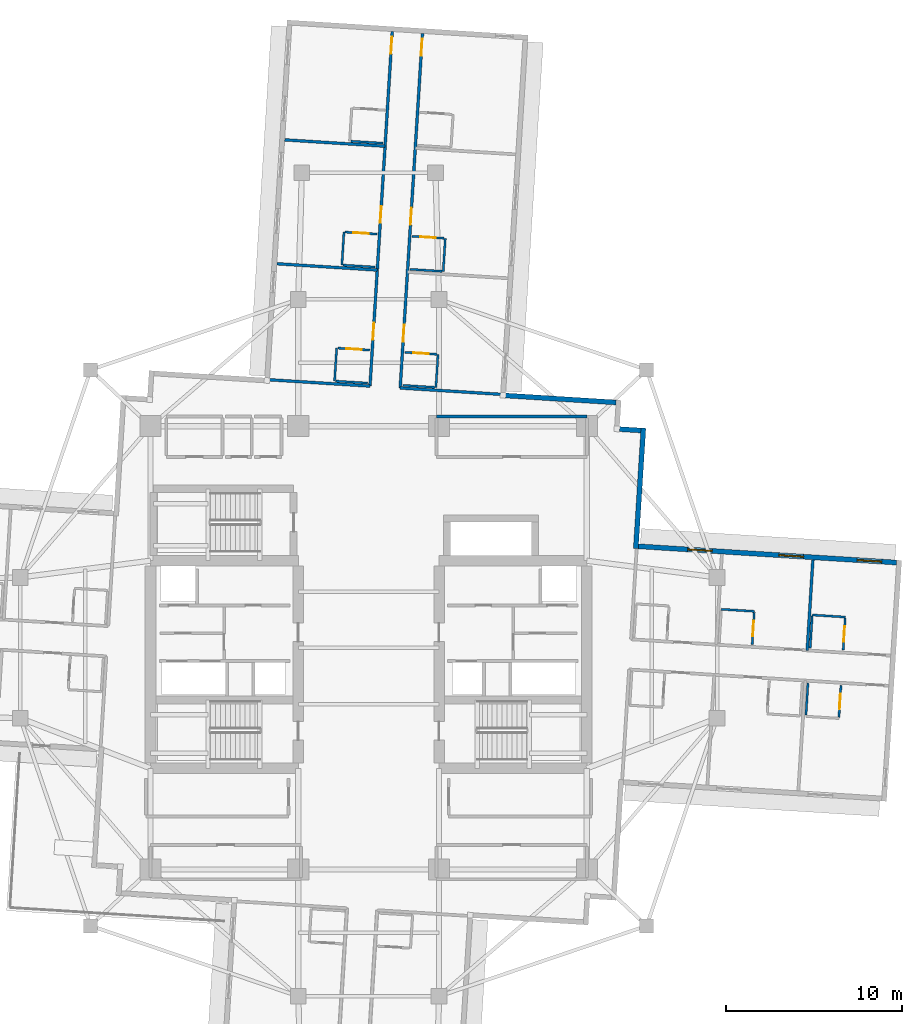
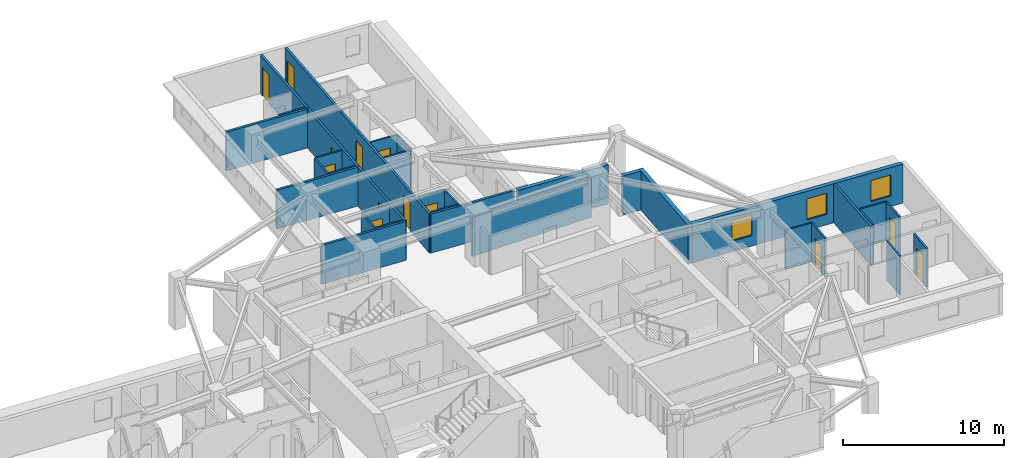
# One storey, part 8 of 14: 32 walls, 13 doors, 3 windows, 16 openings.
"""IFC4 building model written with IfcOpenShell, lengths in metres."""

from ifc_helpers import new_model, si_unit, direction, frame, frame_2d, origin, place, context, subcontext, project, spatial, rectangle, extrude, material, layer, layer_set, type_object, element, fill, save


model = new_model("IFC4")

# Units and contexts
model_context = context("Model", 3, precision=1e-05, world=origin(), true_north=direction((0.0, 1.0)))
body_context = subcontext(model_context, "Body", "Model", "MODEL_VIEW")
ifc_project = project(units=[si_unit("LENGTHUNIT", "METRE"), si_unit("AREAUNIT", "SQUARE_METRE"), si_unit("VOLUMEUNIT", "CUBIC_METRE"), si_unit("PLANEANGLEUNIT", "RADIAN"), si_unit("MASSUNIT", "GRAM", prefix="KILO")], contexts=[model_context])

# Site, building, storey
site_placement = place(None, origin())
site = spatial("IfcSite", under=ifc_project, at=site_placement, CompositionType="ELEMENT")
building_placement = place(site_placement, origin())
building = spatial("IfcBuilding", under=site, at=building_placement, Name="Qingluan Cross Belvedere", CompositionType="ELEMENT")
storey_placement = place(building_placement, frame((0.0, 0.0, 160.5)))
storey = spatial("IfcBuildingStorey", under=building, at=storey_placement, Name="L40", CompositionType="ELEMENT", Elevation=160.5)

# Walls
ifc_material_1 = material(Name="Gypsum plasterboard on steel stud acoustic partition", Category="steel")
ifc_layer_1 = layer(ifc_material_1, 0.159912109375, Name="CorridorPartition_160")
ifc_layer_set_1 = layer_set([ifc_layer_1], Name="Gypsum plasterboard on steel stud acoustic partition")
wall_type_1 = type_object("IfcWallType", Name="CorridorPartition_160", PredefinedType="PARTITIONING", material=ifc_layer_set_1)
wall_1_placement = place(storey_placement, frame((3.85009765625, 13.14990234375, 0.0), z_axis=(0.0, 0.0, 1.0), x_axis=(1.0, 0.0, 0.0)))
element("IfcWall", 1, at=wall_1_placement, inside=storey, type_object=wall_type_1, Name="Partition L40:q_ne:N", PredefinedType="PARTITIONING", context=body_context, shape_type="SweptSolid", body=[
    extrude(rectangle(XDim=8.5498046875, YDim=0.159912109375, at=frame_2d((4.27490234375, 0.0))), origin(), (0.0, 0.0, 1.0), 2.9599609375),
])
wall_2_placement = place(storey_placement, frame((24.923095703125, -0.145263671875, 0.0), z_axis=(0.0, 0.0, 1.0), x_axis=(0.06278835741, 0.998026864455, 0.0)))
element("IfcWall", 2, at=wall_2_placement, inside=storey, type_object=wall_type_1, Name="Partition L40:E:d0_1", PredefinedType="PARTITIONING", context=body_context, shape_type="SweptSolid", body=[
    extrude(rectangle(XDim=5.152099609375, YDim=0.159912109375, at=frame_2d((2.576171875, 0.0))), origin(), (0.0, 0.0, 1.0), 2.9599609375),
])

# Wall, openings, doors
wall_3_placement = place(storey_placement, frame((1.790771484375, 14.7666015625, 0.0), z_axis=(0.0, 0.0, 1.0), x_axis=(0.062795509413, 0.998026414479, 0.0)))
wall_3 = element("IfcWall", 3, at=wall_3_placement, inside=storey, type_object=wall_type_1, Name="Partition L40:N:c0", PredefinedType="PARTITIONING", context=body_context, shape_type="SweptSolid", body=[
    extrude(rectangle(XDim=20.181884765625, YDim=0.159912109375, at=frame_2d((10.0908203125, 0.0))), origin(), (0.0, 0.0, 1.0), 2.9599609375),
])
opening_1_placement = place(wall_3_placement, frame((2.64111328125, 0.0, 0.0)))
opening_1 = element("IfcOpeningElement", 4, at=opening_1_placement, cuts=wall_3, Name="Opening GD-10", PredefinedType="OPENING", context=body_context, shape_type="SweptSolid", body=[
    extrude(rectangle(XDim=0.9599609375, YDim=2.14990234375, at=frame_2d((0.47998046875, 1.074951171875))), frame((0.0, 0.08984375, 0.0), z_axis=(0.0, -1.0, 0.0), x_axis=(1.0, 0.0, 0.0)), (0.0, 0.0, 1.0), 0.179931640625),
])
opening_2_placement = place(wall_3_placement, frame((9.29296875, 0.0, 0.0)))
opening_2 = element("IfcOpeningElement", 5, at=opening_2_placement, cuts=wall_3, Name="Opening GD-10", PredefinedType="OPENING", context=body_context, shape_type="SweptSolid", body=[
    extrude(rectangle(XDim=0.9599609375, YDim=2.14990234375, at=frame_2d((0.47998046875, 1.074951171875))), frame((0.0, 0.08984375, 0.0), z_axis=(0.0, -1.0, 0.0), x_axis=(1.0, 0.0, 0.0)), (0.0, 0.0, 1.0), 0.179931640625),
])
opening_3_placement = place(wall_3_placement, frame((18.929931640625, 0.0, 0.0)))
opening_3 = element("IfcOpeningElement", 6, at=opening_3_placement, cuts=wall_3, Name="Opening GD-10", PredefinedType="OPENING", context=body_context, shape_type="SweptSolid", body=[
    extrude(rectangle(XDim=0.9599609375, YDim=2.14990234375, at=frame_2d((0.47998046875, 1.074951171875))), frame((0.0, 0.08984375, 0.0), z_axis=(0.0, -1.0, 0.0), x_axis=(1.0, 0.0, 0.0)), (0.0, 0.0, 1.0), 0.179931640625),
])
ifc_material_2 = material(Name="Timber oak fire-rated acoustic guestroom door", Category="wood")
door_type_1 = type_object("IfcDoorType", Name="GuestEntryDoor_FD60", OperationType="NOTDEFINED", PredefinedType="DOOR", material=ifc_material_2)
door_1_placement = place(opening_1_placement, origin())
door_1 = element("IfcDoor", 7, at=door_1_placement, inside=storey, type_object=door_type_1, Name="Guest entry fire door 4011", OperationType="SINGLE_SWING_RIGHT", OverallHeight=2.14990234375, OverallWidth=0.9599609375, PredefinedType="DOOR", context=body_context, shape_type="SweptSolid", body=[
    extrude(rectangle(XDim=0.9599609375, YDim=2.14990234375, at=frame_2d((0.47998046875, 1.074951171875))), frame((0.0, 0.02490234375, 0.0), z_axis=(0.0, -1.0, 0.0), x_axis=(1.0, 0.0, 0.0)), (0.0, 0.0, 1.0), 0.050048828125),
])
fill(opening_1, door_1)
door_2_placement = place(opening_2_placement, origin())
door_2 = element("IfcDoor", 8, at=door_2_placement, inside=storey, type_object=door_type_1, Name="Guest entry fire door 4012", OperationType="SINGLE_SWING_RIGHT", OverallHeight=2.14990234375, OverallWidth=0.9599609375, PredefinedType="DOOR", context=body_context, shape_type="SweptSolid", body=[
    extrude(rectangle(XDim=0.9599609375, YDim=2.14990234375, at=frame_2d((0.47998046875, 1.074951171875))), frame((0.0, 0.02490234375, 0.0), z_axis=(0.0, -1.0, 0.0), x_axis=(1.0, 0.0, 0.0)), (0.0, 0.0, 1.0), 0.050048828125),
])
fill(opening_2, door_2)
door_3_placement = place(opening_3_placement, origin())
door_3 = element("IfcDoor", 9, at=door_3_placement, inside=storey, type_object=door_type_1, Name="Guest entry fire door 4013", OperationType="SINGLE_SWING_RIGHT", OverallHeight=2.14990234375, OverallWidth=0.9599609375, PredefinedType="DOOR", context=body_context, shape_type="SweptSolid", body=[
    extrude(rectangle(XDim=0.9599609375, YDim=2.14990234375, at=frame_2d((0.47998046875, 1.074951171875))), frame((0.0, 0.02490234375, 0.0), z_axis=(0.0, -1.0, 0.0), x_axis=(1.0, 0.0, 0.0)), (0.0, 0.0, 1.0), 0.050048828125),
])
fill(opening_3, door_3)

# Wall
wall_4_placement = place(storey_placement, frame((1.790771484375, 14.7666015625, 0.0), z_axis=(0.0, 0.0, 1.0), x_axis=(0.998027043948, -0.062785504288, 0.0)))
element("IfcWall", 10, at=wall_4_placement, inside=storey, type_object=wall_type_1, Name="Partition L40:N:s0", PredefinedType="PARTITIONING", context=body_context, shape_type="SweptSolid", body=[
    extrude(rectangle(XDim=5.85986328125, YDim=0.159912109375, at=frame_2d((2.929931640625, 0.0))), origin(), (0.0, 0.0, 1.0), 2.9599609375),
])

# Wall, openings, doors
wall_5_placement = place(storey_placement, frame((0.07421875, 14.874755859375, 0.0), z_axis=(0.0, 0.0, 1.0), x_axis=(0.062783460104, 0.998027172545, 0.0)))
wall_5 = element("IfcWall", 11, at=wall_5_placement, inside=storey, type_object=wall_type_1, Name="Partition L40:N:c1", PredefinedType="PARTITIONING", context=body_context, shape_type="SweptSolid", body=[
    extrude(rectangle(XDim=20.181884765625, YDim=0.159912109375, at=frame_2d((10.0908203125, 0.0))), origin(), (0.0, 0.0, 1.0), 2.9599609375),
])
opening_4_placement = place(wall_5_placement, frame((2.64111328125, 0.0, 0.0)))
opening_4 = element("IfcOpeningElement", 12, at=opening_4_placement, cuts=wall_5, Name="Opening GD-10", PredefinedType="OPENING", context=body_context, shape_type="SweptSolid", body=[
    extrude(rectangle(XDim=0.9599609375, YDim=2.14990234375, at=frame_2d((0.47998046875, 1.074951171875))), frame((0.0, 0.08984375, 0.0), z_axis=(0.0, -1.0, 0.0), x_axis=(1.0, 0.0, 0.0)), (0.0, 0.0, 1.0), 0.179931640625),
])
opening_5_placement = place(wall_5_placement, frame((9.29296875, 0.0, 0.0)))
opening_5 = element("IfcOpeningElement", 13, at=opening_5_placement, cuts=wall_5, Name="Opening GD-10", PredefinedType="OPENING", context=body_context, shape_type="SweptSolid", body=[
    extrude(rectangle(XDim=0.9599609375, YDim=2.14990234375, at=frame_2d((0.47998046875, 1.074951171875))), frame((0.0, 0.08984375, 0.0), z_axis=(0.0, -1.0, 0.0), x_axis=(1.0, 0.0, 0.0)), (0.0, 0.0, 1.0), 0.179931640625),
])
opening_6_placement = place(wall_5_placement, frame((18.929931640625, 0.0, 0.0)))
opening_6 = element("IfcOpeningElement", 14, at=opening_6_placement, cuts=wall_5, Name="Opening GD-10", PredefinedType="OPENING", context=body_context, shape_type="SweptSolid", body=[
    extrude(rectangle(XDim=0.9599609375, YDim=2.14990234375, at=frame_2d((0.47998046875, 1.074951171875))), frame((0.0, 0.08984375, 0.0), z_axis=(0.0, -1.0, 0.0), x_axis=(1.0, 0.0, 0.0)), (0.0, 0.0, 1.0), 0.179931640625),
])
door_4_placement = place(opening_4_placement, origin())
door_4 = element("IfcDoor", 15, at=door_4_placement, inside=storey, type_object=door_type_1, Name="Guest entry fire door 4014", OperationType="SINGLE_SWING_RIGHT", OverallHeight=2.14990234375, OverallWidth=0.9599609375, PredefinedType="DOOR", context=body_context, shape_type="SweptSolid", body=[
    extrude(rectangle(XDim=0.9599609375, YDim=2.14990234375, at=frame_2d((0.47998046875, 1.074951171875))), frame((0.0, 0.02490234375, 0.0), z_axis=(0.0, -1.0, 0.0), x_axis=(1.0, 0.0, 0.0)), (0.0, 0.0, 1.0), 0.050048828125),
])
fill(opening_4, door_4)
door_5_placement = place(opening_5_placement, origin())
door_5 = element("IfcDoor", 16, at=door_5_placement, inside=storey, type_object=door_type_1, Name="Guest entry fire door 4015", OperationType="SINGLE_SWING_RIGHT", OverallHeight=2.14990234375, OverallWidth=0.9599609375, PredefinedType="DOOR", context=body_context, shape_type="SweptSolid", body=[
    extrude(rectangle(XDim=0.9599609375, YDim=2.14990234375, at=frame_2d((0.47998046875, 1.074951171875))), frame((0.0, 0.02490234375, 0.0), z_axis=(0.0, -1.0, 0.0), x_axis=(1.0, 0.0, 0.0)), (0.0, 0.0, 1.0), 0.050048828125),
])
fill(opening_5, door_5)
door_6_placement = place(opening_6_placement, origin())
door_6 = element("IfcDoor", 17, at=door_6_placement, inside=storey, type_object=door_type_1, Name="Guest entry fire door 4016", OperationType="SINGLE_SWING_RIGHT", OverallHeight=2.14990234375, OverallWidth=0.9599609375, PredefinedType="DOOR", context=body_context, shape_type="SweptSolid", body=[
    extrude(rectangle(XDim=0.9599609375, YDim=2.14990234375, at=frame_2d((0.47998046875, 1.074951171875))), frame((0.0, 0.02490234375, 0.0), z_axis=(0.0, -1.0, 0.0), x_axis=(1.0, 0.0, 0.0)), (0.0, 0.0, 1.0), 0.050048828125),
])
fill(opening_6, door_6)

# Walls
wall_6_placement = place(storey_placement, frame((0.07421875, 14.874755859375, 0.0), z_axis=(0.0, 0.0, 1.0), x_axis=(-0.998027208172, 0.062782893752, 0.0)))
element("IfcWall", 18, at=wall_6_placement, inside=storey, type_object=wall_type_1, Name="Partition L40:N:s1", PredefinedType="PARTITIONING", context=body_context, shape_type="SweptSolid", body=[
    extrude(rectangle(XDim=5.860107421875, YDim=0.159912109375, at=frame_2d((2.93017578125, 0.0))), origin(), (0.0, 0.0, 1.0), 2.9599609375),
])
for number, where, z_axis, x_axis, name in (
    (19, (0.489013671875, 21.46875, 0.0), (0.0, 0.0, 1.0), (-0.998026882386, 0.062788072387, 0.0), "Partition L40:N:d1_0"),
    (20, (0.931884765625, 28.509765625, 0.0), (0.0, 0.0, 1.0), (-0.998026882386, 0.062788072387, 0.0), "Partition L40:N:d1_1"),
):
    element("IfcWall", number, at=place(storey_placement, frame(where, z_axis=z_axis, x_axis=x_axis)), inside=storey, type_object=wall_type_1, Name=name, PredefinedType="PARTITIONING", context=body_context, shape_type="SweptSolid", body=[
        extrude(rectangle(XDim=5.7119140625, YDim=0.159912109375, at=frame_2d((2.85595703125, 0.0))), origin(), (0.0, 0.0, 1.0), 2.9599609375),
    ])

# Wall, opening, door
ifc_material_3 = material(Name="Moisture-resistant gypsum board lining")
ifc_layer_2 = layer(ifc_material_3, 0.1201171875, Name="EnsuiteWetPartition_120")
ifc_layer_set_2 = layer_set([ifc_layer_2], Name="Moisture-resistant gypsum board lining")
wall_type_2 = type_object("IfcWallType", Name="EnsuiteWetPartition_120", PredefinedType="PARTITIONING", material=ifc_layer_set_2)
wall_7_placement = place(storey_placement, frame((21.797119140625, 0.191650390625, 0.0), z_axis=(0.0, 0.0, 1.0), x_axis=(0.062779145668, 0.998027443946, 0.0)))
wall_7 = element("IfcWall", 21, at=wall_7_placement, inside=storey, type_object=wall_type_2, Name="Partition L40:E:bs0_1", PredefinedType="PARTITIONING", context=body_context, shape_type="SweptSolid", body=[
    extrude(rectangle(XDim=1.820068359375, YDim=0.1201171875, at=frame_2d((0.91015625, 0.0))), origin(), (0.0, 0.0, 1.0), 2.9599609375),
])
opening_7_placement = place(wall_7_placement, frame((0.469970703125, 0.0, 0.0)))
opening_7 = element("IfcOpeningElement", 22, at=opening_7_placement, cuts=wall_7, Name="Opening BD-09", PredefinedType="OPENING", context=body_context, shape_type="SweptSolid", body=[
    extrude(rectangle(XDim=0.8798828125, YDim=2.10009765625, at=frame_2d((0.43994140625, 1.050048828125))), frame((0.0, 0.070068359375, 0.0), z_axis=(0.0, -1.0, 0.0), x_axis=(1.0, 0.0, 0.0)), (0.0, 0.0, 1.0), 0.14013671875),
])
ifc_material_4 = material(Name="Moisture-sealed timber en-suite door", Category="wood")
door_type_2 = type_object("IfcDoorType", Name="BathroomDoor_880", OperationType="NOTDEFINED", PredefinedType="DOOR", material=ifc_material_4)
door_7_placement = place(opening_7_placement, origin())
door_7 = element("IfcDoor", 23, at=door_7_placement, inside=storey, type_object=door_type_2, Name="Bathroom door 4002", OperationType="SINGLE_SWING_LEFT", OverallHeight=2.10009765625, OverallWidth=0.8798828125, PredefinedType="DOOR", context=body_context, shape_type="SweptSolid", body=[
    extrude(rectangle(XDim=0.8798828125, YDim=2.10009765625, at=frame_2d((0.43994140625, 1.050048828125))), frame((0.0, 0.02490234375, 0.0), z_axis=(0.0, -1.0, 0.0), x_axis=(1.0, 0.0, 0.0)), (0.0, 0.0, 1.0), 0.050048828125),
])
fill(opening_7, door_7)

# Wall
wall_8_placement = place(storey_placement, frame((20.0390625, 2.191162109375, 0.0), z_axis=(0.0, 0.0, 1.0), x_axis=(0.998022650819, -0.062855297722, 0.0)))
element("IfcWall", 24, at=wall_8_placement, inside=storey, type_object=wall_type_2, Name="Partition L40:E:bn0_1", PredefinedType="PARTITIONING", context=body_context, shape_type="SweptSolid", body=[
    extrude(rectangle(XDim=1.8798828125, YDim=0.1201171875, at=frame_2d((0.93994140625, 0.0))), origin(), (0.0, 0.0, 1.0), 2.9599609375),
])

# Wall, opening, door
wall_9_placement = place(storey_placement, frame((26.9677734375, -0.133544921875, 0.0), z_axis=(0.0, 0.0, 1.0), x_axis=(0.062779145668, 0.998027443946, 0.0)))
wall_9 = element("IfcWall", 25, at=wall_9_placement, inside=storey, type_object=wall_type_2, Name="Partition L40:E:bs0_2", PredefinedType="PARTITIONING", context=body_context, shape_type="SweptSolid", body=[
    extrude(rectangle(XDim=1.820068359375, YDim=0.1201171875, at=frame_2d((0.91015625, 0.0))), origin(), (0.0, 0.0, 1.0), 2.9599609375),
])
opening_8_placement = place(wall_9_placement, frame((0.469970703125, 0.0, 0.0)))
opening_8 = element("IfcOpeningElement", 26, at=opening_8_placement, cuts=wall_9, Name="Opening BD-09", PredefinedType="OPENING", context=body_context, shape_type="SweptSolid", body=[
    extrude(rectangle(XDim=0.8798828125, YDim=2.10009765625, at=frame_2d((0.43994140625, 1.050048828125))), frame((0.0, 0.070068359375, 0.0), z_axis=(0.0, -1.0, 0.0), x_axis=(1.0, 0.0, 0.0)), (0.0, 0.0, 1.0), 0.14013671875),
])
door_8_placement = place(opening_8_placement, origin())
door_8 = element("IfcDoor", 27, at=door_8_placement, inside=storey, type_object=door_type_2, Name="Bathroom door 4003", OperationType="SINGLE_SWING_LEFT", OverallHeight=2.10009765625, OverallWidth=0.8798828125, PredefinedType="DOOR", context=body_context, shape_type="SweptSolid", body=[
    extrude(rectangle(XDim=0.8798828125, YDim=2.10009765625, at=frame_2d((0.43994140625, 1.050048828125))), frame((0.0, 0.02490234375, 0.0), z_axis=(0.0, -1.0, 0.0), x_axis=(1.0, 0.0, 0.0)), (0.0, 0.0, 1.0), 0.050048828125),
])
fill(opening_8, door_8)

# Walls
wall_10_placement = place(storey_placement, frame((25.091552734375, -0.015380859375, 0.0), z_axis=(0.0, 0.0, 1.0), x_axis=(0.062787551592, 0.998026915151, 0.0)))
element("IfcWall", 28, at=wall_10_placement, inside=storey, type_object=wall_type_2, Name="Partition L40:E:bw0_2", PredefinedType="PARTITIONING", context=body_context, shape_type="SweptSolid", body=[
    extrude(rectangle(XDim=1.81982421875, YDim=0.1201171875, at=frame_2d((0.909912109375, 0.0))), origin(), (0.0, 0.0, 1.0), 2.9599609375),
])
wall_11_placement = place(storey_placement, frame((25.2099609375, 1.86572265625, 0.0), z_axis=(0.0, 0.0, 1.0), x_axis=(0.998030789148, -0.062725942896, 0.0)))
element("IfcWall", 29, at=wall_11_placement, inside=storey, type_object=wall_type_2, Name="Partition L40:E:bn0_2", PredefinedType="PARTITIONING", context=body_context, shape_type="SweptSolid", body=[
    extrude(rectangle(XDim=1.8798828125, YDim=0.1201171875, at=frame_2d((0.93994140625, 0.0))), origin(), (0.0, 0.0, 1.0), 2.9599609375),
])

# Wall, opening, door
wall_12_placement = place(storey_placement, frame((26.72802734375, -3.946044921875, 0.0), z_axis=(0.0, 0.0, 1.0), x_axis=(0.062779145668, 0.998027443946, 0.0)))
wall_12 = element("IfcWall", 30, at=wall_12_placement, inside=storey, type_object=wall_type_2, Name="Partition L40:E:bs1_2", PredefinedType="PARTITIONING", context=body_context, shape_type="SweptSolid", body=[
    extrude(rectangle(XDim=1.820068359375, YDim=0.1201171875, at=frame_2d((0.91015625, 0.0))), origin(), (0.0, 0.0, 1.0), 2.9599609375),
])
opening_9_placement = place(wall_12_placement, frame((0.469970703125, 0.0, 0.0)))
opening_9 = element("IfcOpeningElement", 31, at=opening_9_placement, cuts=wall_12, Name="Opening BD-09", PredefinedType="OPENING", context=body_context, shape_type="SweptSolid", body=[
    extrude(rectangle(XDim=0.8798828125, YDim=2.10009765625, at=frame_2d((0.43994140625, 1.050048828125))), frame((0.0, 0.070068359375, 0.0), z_axis=(0.0, -1.0, 0.0), x_axis=(1.0, 0.0, 0.0)), (0.0, 0.0, 1.0), 0.14013671875),
])
door_9_placement = place(opening_9_placement, origin())
door_9 = element("IfcDoor", 32, at=door_9_placement, inside=storey, type_object=door_type_2, Name="Bathroom door 4006", OperationType="SINGLE_SWING_LEFT", OverallHeight=2.10009765625, OverallWidth=0.8798828125, PredefinedType="DOOR", context=body_context, shape_type="SweptSolid", body=[
    extrude(rectangle(XDim=0.8798828125, YDim=2.10009765625, at=frame_2d((0.43994140625, 1.050048828125))), frame((0.0, 0.02490234375, 0.0), z_axis=(0.0, -1.0, 0.0), x_axis=(1.0, 0.0, 0.0)), (0.0, 0.0, 1.0), 0.050048828125),
])
fill(opening_9, door_9)

# Wall
wall_13_placement = place(storey_placement, frame((24.851806640625, -3.827880859375, 0.0), z_axis=(0.0, 0.0, 1.0), x_axis=(0.062787551592, 0.998026915151, 0.0)))
element("IfcWall", 33, at=wall_13_placement, inside=storey, type_object=wall_type_2, Name="Partition L40:E:bw1_2", PredefinedType="PARTITIONING", context=body_context, shape_type="SweptSolid", body=[
    extrude(rectangle(XDim=1.81982421875, YDim=0.1201171875, at=frame_2d((0.909912109375, 0.0))), origin(), (0.0, 0.0, 1.0), 2.9599609375),
])

# Wall, opening, door
wall_14_placement = place(storey_placement, frame((2.05859375, 16.7939453125, 0.0), z_axis=(0.0, 0.0, 1.0), x_axis=(0.998027443946, -0.062779145668, 0.0)))
wall_14 = element("IfcWall", 34, at=wall_14_placement, inside=storey, type_object=wall_type_2, Name="Partition L40:N:bs0_0", PredefinedType="PARTITIONING", context=body_context, shape_type="SweptSolid", body=[
    extrude(rectangle(XDim=1.820068359375, YDim=0.1201171875, at=frame_2d((0.91015625, 0.0))), origin(), (0.0, 0.0, 1.0), 2.9599609375),
])
opening_10_placement = place(wall_14_placement, frame((0.469970703125, 0.0, 0.0)))
opening_10 = element("IfcOpeningElement", 35, at=opening_10_placement, cuts=wall_14, Name="Opening BD-09", PredefinedType="OPENING", context=body_context, shape_type="SweptSolid", body=[
    extrude(rectangle(XDim=0.8798828125, YDim=2.10009765625, at=frame_2d((0.43994140625, 1.050048828125))), frame((0.0, 0.070068359375, 0.0), z_axis=(0.0, -1.0, 0.0), x_axis=(1.0, 0.0, 0.0)), (0.0, 0.0, 1.0), 0.14013671875),
])
door_10_placement = place(opening_10_placement, origin())
door_10 = element("IfcDoor", 36, at=door_10_placement, inside=storey, type_object=door_type_2, Name="Bathroom door 4011", OperationType="SINGLE_SWING_LEFT", OverallHeight=2.10009765625, OverallWidth=0.8798828125, PredefinedType="DOOR", context=body_context, shape_type="SweptSolid", body=[
    extrude(rectangle(XDim=0.8798828125, YDim=2.10009765625, at=frame_2d((0.43994140625, 1.050048828125))), frame((0.0, 0.02490234375, 0.0), z_axis=(0.0, -1.0, 0.0), x_axis=(1.0, 0.0, 0.0)), (0.0, 0.0, 1.0), 0.050048828125),
])
fill(opening_10, door_10)

# Walls
wall_15_placement = place(storey_placement, frame((1.9404296875, 14.91748046875, 0.0), z_axis=(0.0, 0.0, 1.0), x_axis=(0.998027443946, -0.062779145668, 0.0)))
element("IfcWall", 37, at=wall_15_placement, inside=storey, type_object=wall_type_2, Name="Partition L40:N:bw0_0", PredefinedType="PARTITIONING", context=body_context, shape_type="SweptSolid", body=[
    extrude(rectangle(XDim=1.820068359375, YDim=0.1201171875, at=frame_2d((0.91015625, 0.0))), origin(), (0.0, 0.0, 1.0), 2.9599609375),
])
wall_16_placement = place(storey_placement, frame((3.82177734375, 14.79931640625, 0.0), z_axis=(0.0, 0.0, 1.0), x_axis=(0.062725942896, 0.998030789148, 0.0)))
element("IfcWall", 38, at=wall_16_placement, inside=storey, type_object=wall_type_2, Name="Partition L40:N:bn0_0", PredefinedType="PARTITIONING", context=body_context, shape_type="SweptSolid", body=[
    extrude(rectangle(XDim=1.8798828125, YDim=0.1201171875, at=frame_2d((0.93994140625, 0.0))), origin(), (0.0, 0.0, 1.0), 2.9599609375),
])

# Wall, opening, door
wall_17_placement = place(storey_placement, frame((2.473388671875, 23.3876953125, 0.0), z_axis=(0.0, 0.0, 1.0), x_axis=(0.998035839873, -0.062645529196, 0.0)))
wall_17 = element("IfcWall", 39, at=wall_17_placement, inside=storey, type_object=wall_type_2, Name="Partition L40:N:bs0_1", PredefinedType="PARTITIONING", context=body_context, shape_type="SweptSolid", body=[
    extrude(rectangle(XDim=1.820068359375, YDim=0.1201171875, at=frame_2d((0.91015625, 0.0))), origin(), (0.0, 0.0, 1.0), 2.9599609375),
])
opening_11_placement = place(wall_17_placement, frame((0.469970703125, 0.0, 0.0)))
opening_11 = element("IfcOpeningElement", 40, at=opening_11_placement, cuts=wall_17, Name="Opening BD-09", PredefinedType="OPENING", context=body_context, shape_type="SweptSolid", body=[
    extrude(rectangle(XDim=0.8798828125, YDim=2.10009765625, at=frame_2d((0.43994140625, 1.050048828125))), frame((0.0, 0.070068359375, 0.0), z_axis=(0.0, -1.0, 0.0), x_axis=(1.0, 0.0, 0.0)), (0.0, 0.0, 1.0), 0.14013671875),
])
door_11_placement = place(opening_11_placement, origin())
door_11 = element("IfcDoor", 41, at=door_11_placement, inside=storey, type_object=door_type_2, Name="Bathroom door 4012", OperationType="SINGLE_SWING_LEFT", OverallHeight=2.10009765625, OverallWidth=0.8798828125, PredefinedType="DOOR", context=body_context, shape_type="SweptSolid", body=[
    extrude(rectangle(XDim=0.8798828125, YDim=2.10009765625, at=frame_2d((0.43994140625, 1.050048828125))), frame((0.0, 0.02490234375, 0.0), z_axis=(0.0, -1.0, 0.0), x_axis=(1.0, 0.0, 0.0)), (0.0, 0.0, 1.0), 0.050048828125),
])
fill(opening_11, door_11)

# Walls
wall_18_placement = place(storey_placement, frame((2.35546875, 21.51171875, 0.0), z_axis=(0.0, 0.0, 1.0), x_axis=(0.998019030272, -0.062912758763, 0.0)))
element("IfcWall", 42, at=wall_18_placement, inside=storey, type_object=wall_type_2, Name="Partition L40:N:bw0_1", PredefinedType="PARTITIONING", context=body_context, shape_type="SweptSolid", body=[
    extrude(rectangle(XDim=1.820068359375, YDim=0.1201171875, at=frame_2d((0.91015625, 0.0))), origin(), (0.0, 0.0, 1.0), 2.9599609375),
])
wall_19_placement = place(storey_placement, frame((4.236572265625, 21.393310546875, 0.0), z_axis=(0.0, 0.0, 1.0), x_axis=(0.062855297722, 0.998022650819, 0.0)))
element("IfcWall", 43, at=wall_19_placement, inside=storey, type_object=wall_type_2, Name="Partition L40:N:bn0_1", PredefinedType="PARTITIONING", context=body_context, shape_type="SweptSolid", body=[
    extrude(rectangle(XDim=1.8798828125, YDim=0.1201171875, at=frame_2d((0.93994140625, 0.0))), origin(), (0.0, 0.0, 1.0), 2.9599609375),
])

# Wall, opening, door
wall_20_placement = place(storey_placement, frame((-1.75390625, 17.03369140625, 0.0), z_axis=(0.0, 0.0, 1.0), x_axis=(0.998027443946, -0.062779145668, 0.0)))
wall_20 = element("IfcWall", 44, at=wall_20_placement, inside=storey, type_object=wall_type_2, Name="Partition L40:N:bs1_0", PredefinedType="PARTITIONING", context=body_context, shape_type="SweptSolid", body=[
    extrude(rectangle(XDim=1.820068359375, YDim=0.1201171875, at=frame_2d((0.91015625, 0.0))), origin(), (0.0, 0.0, 1.0), 2.9599609375),
])
opening_12_placement = place(wall_20_placement, frame((0.469970703125, 0.0, 0.0)))
opening_12 = element("IfcOpeningElement", 45, at=opening_12_placement, cuts=wall_20, Name="Opening BD-09", PredefinedType="OPENING", context=body_context, shape_type="SweptSolid", body=[
    extrude(rectangle(XDim=0.8798828125, YDim=2.10009765625, at=frame_2d((0.43994140625, 1.050048828125))), frame((0.0, 0.070068359375, 0.0), z_axis=(0.0, -1.0, 0.0), x_axis=(1.0, 0.0, 0.0)), (0.0, 0.0, 1.0), 0.14013671875),
])
door_12_placement = place(opening_12_placement, origin())
door_12 = element("IfcDoor", 46, at=door_12_placement, inside=storey, type_object=door_type_2, Name="Bathroom door 4014", OperationType="SINGLE_SWING_LEFT", OverallHeight=2.10009765625, OverallWidth=0.8798828125, PredefinedType="DOOR", context=body_context, shape_type="SweptSolid", body=[
    extrude(rectangle(XDim=0.8798828125, YDim=2.10009765625, at=frame_2d((0.43994140625, 1.050048828125))), frame((0.0, 0.02490234375, 0.0), z_axis=(0.0, -1.0, 0.0), x_axis=(1.0, 0.0, 0.0)), (0.0, 0.0, 1.0), 0.050048828125),
])
fill(opening_12, door_12)

# Walls
wall_21_placement = place(storey_placement, frame((-1.871826171875, 15.157470703125, 0.0), z_axis=(0.0, 0.0, 1.0), x_axis=(0.998027443946, -0.062779145668, 0.0)))
element("IfcWall", 47, at=wall_21_placement, inside=storey, type_object=wall_type_2, Name="Partition L40:N:bw1_0", PredefinedType="PARTITIONING", context=body_context, shape_type="SweptSolid", body=[
    extrude(rectangle(XDim=1.820068359375, YDim=0.1201171875, at=frame_2d((0.91015625, 0.0))), origin(), (0.0, 0.0, 1.0), 2.9599609375),
])
wall_22_placement = place(storey_placement, frame((-1.936767578125, 15.16162109375, 0.0), z_axis=(0.0, 0.0, 1.0), x_axis=(0.062725942896, 0.998030789148, 0.0)))
element("IfcWall", 48, at=wall_22_placement, inside=storey, type_object=wall_type_2, Name="Partition L40:N:bc1_0", PredefinedType="PARTITIONING", context=body_context, shape_type="SweptSolid", body=[
    extrude(rectangle(XDim=1.8798828125, YDim=0.1201171875, at=frame_2d((0.93994140625, 0.0))), origin(), (0.0, 0.0, 1.0), 2.9599609375),
])

# Wall, opening, door
wall_23_placement = place(storey_placement, frame((-1.339111328125, 23.627685546875, 0.0), z_axis=(0.0, 0.0, 1.0), x_axis=(0.998027443946, -0.062779145668, 0.0)))
wall_23 = element("IfcWall", 49, at=wall_23_placement, inside=storey, type_object=wall_type_2, Name="Partition L40:N:bs1_1", PredefinedType="PARTITIONING", context=body_context, shape_type="SweptSolid", body=[
    extrude(rectangle(XDim=1.820068359375, YDim=0.1201171875, at=frame_2d((0.91015625, 0.0))), origin(), (0.0, 0.0, 1.0), 2.9599609375),
])
opening_13_placement = place(wall_23_placement, frame((0.469970703125, 0.0, 0.0)))
opening_13 = element("IfcOpeningElement", 50, at=opening_13_placement, cuts=wall_23, Name="Opening BD-09", PredefinedType="OPENING", context=body_context, shape_type="SweptSolid", body=[
    extrude(rectangle(XDim=0.8798828125, YDim=2.10009765625, at=frame_2d((0.43994140625, 1.050048828125))), frame((0.0, 0.070068359375, 0.0), z_axis=(0.0, -1.0, 0.0), x_axis=(1.0, 0.0, 0.0)), (0.0, 0.0, 1.0), 0.14013671875),
])
door_13_placement = place(opening_13_placement, origin())
door_13 = element("IfcDoor", 51, at=door_13_placement, inside=storey, type_object=door_type_2, Name="Bathroom door 4015", OperationType="SINGLE_SWING_LEFT", OverallHeight=2.10009765625, OverallWidth=0.8798828125, PredefinedType="DOOR", context=body_context, shape_type="SweptSolid", body=[
    extrude(rectangle(XDim=0.8798828125, YDim=2.10009765625, at=frame_2d((0.43994140625, 1.050048828125))), frame((0.0, 0.02490234375, 0.0), z_axis=(0.0, -1.0, 0.0), x_axis=(1.0, 0.0, 0.0)), (0.0, 0.0, 1.0), 0.050048828125),
])
fill(opening_13, door_13)

# Walls
wall_24_placement = place(storey_placement, frame((-1.45703125, 21.75146484375, 0.0), z_axis=(0.0, 0.0, 1.0), x_axis=(0.998027443946, -0.062779145668, 0.0)))
element("IfcWall", 52, at=wall_24_placement, inside=storey, type_object=wall_type_2, Name="Partition L40:N:bw1_1", PredefinedType="PARTITIONING", context=body_context, shape_type="SweptSolid", body=[
    extrude(rectangle(XDim=1.820068359375, YDim=0.1201171875, at=frame_2d((0.91015625, 0.0))), origin(), (0.0, 0.0, 1.0), 2.9599609375),
])
wall_25_placement = place(storey_placement, frame((-1.52197265625, 21.755615234375, 0.0), z_axis=(0.0, 0.0, 1.0), x_axis=(0.062855297722, 0.998022650819, 0.0)))
element("IfcWall", 53, at=wall_25_placement, inside=storey, type_object=wall_type_2, Name="Partition L40:N:bc1_1", PredefinedType="PARTITIONING", context=body_context, shape_type="SweptSolid", body=[
    extrude(rectangle(XDim=1.8798828125, YDim=0.1201171875, at=frame_2d((0.93994140625, 0.0))), origin(), (0.0, 0.0, 1.0), 2.9599609375),
])
wall_26_placement = place(storey_placement, frame((-1.01416015625, 28.79248046875, 0.0), z_axis=(0.0, 0.0, 1.0), x_axis=(0.998027443946, -0.062779145668, 0.0)))
element("IfcWall", 54, at=wall_26_placement, inside=storey, type_object=wall_type_2, Name="Partition L40:N:bw1_2", PredefinedType="PARTITIONING", context=body_context, shape_type="SweptSolid", body=[
    extrude(rectangle(XDim=1.820068359375, YDim=0.1201171875, at=frame_2d((0.91015625, 0.0))), origin(), (0.0, 0.0, 1.0), 2.9599609375),
])

# Wall, openings, windows
ifc_material_5 = material(Name="Precast concrete C45", Category="concrete")
ifc_layer_3 = layer(ifc_material_5, 0.280029296875, Name="PrecastFacadeWall_280")
ifc_layer_set_3 = layer_set([ifc_layer_3], Name="Precast concrete C45")
wall_type_3 = type_object("IfcWallType", Name="PrecastFacadeWall_280", PredefinedType="STANDARD", material=ifc_layer_set_3)
wall_27_placement = place(storey_placement, frame((30.00341796875, 4.845703125, 0.0), z_axis=(0.0, 0.0, 1.0), x_axis=(-0.998027423805, 0.062779465852, 0.0)))
wall_27 = element("IfcWall", 55, at=wall_27_placement, inside=storey, type_object=wall_type_3, Name="Facade wall L40-EB", PredefinedType="STANDARD", context=body_context, shape_type="SweptSolid", body=[
    extrude(rectangle(XDim=14.699951171875, YDim=0.280029296875, at=frame_2d((7.35009765625, 0.0))), origin(), (0.0, 0.0, 1.0), 2.969970703125),
])
opening_14_placement = place(wall_27_placement, frame((0.85009765625, 0.0, 0.800048828125)))
opening_14 = element("IfcOpeningElement", 56, at=opening_14_placement, cuts=wall_27, Name="Opening W-01", PredefinedType="OPENING", context=body_context, shape_type="SweptSolid", body=[
    extrude(rectangle(XDim=1.39990234375, YDim=1.60009765625, at=frame_2d((0.699951171875, 0.800048828125))), frame((0.0, 0.14990234375, 0.0), z_axis=(0.0, -1.0, 0.0), x_axis=(1.0, 0.0, 0.0)), (0.0, 0.0, 1.0), 0.300048828125),
])
opening_15_placement = place(wall_27_placement, frame((5.300048828125, 0.0, 0.800048828125)))
opening_15 = element("IfcOpeningElement", 57, at=opening_15_placement, cuts=wall_27, Name="Opening W-01", PredefinedType="OPENING", context=body_context, shape_type="SweptSolid", body=[
    extrude(rectangle(XDim=1.39990234375, YDim=1.60009765625, at=frame_2d((0.699951171875, 0.800048828125))), frame((0.0, 0.14990234375, 0.0), z_axis=(0.0, -1.0, 0.0), x_axis=(1.0, 0.0, 0.0)), (0.0, 0.0, 1.0), 0.300048828125),
])
opening_16_placement = place(wall_27_placement, frame((10.5, 0.0, 0.800048828125)))
opening_16 = element("IfcOpeningElement", 58, at=opening_16_placement, cuts=wall_27, Name="Opening W-01", PredefinedType="OPENING", context=body_context, shape_type="SweptSolid", body=[
    extrude(rectangle(XDim=1.39990234375, YDim=1.60009765625, at=frame_2d((0.699951171875, 0.800048828125))), frame((0.0, 0.14990234375, 0.0), z_axis=(0.0, -1.0, 0.0), x_axis=(1.0, 0.0, 0.0)), (0.0, 0.0, 1.0), 0.300048828125),
])
ifc_material_6 = material(Name="Thermally broken triple Low-E glass in aluminium frame", Category="aluminium")
window_type = type_object("IfcWindowType", Name="TriRibbonWin_1400x1600", PartitioningType="SINGLE_PANEL", PredefinedType="WINDOW", material=ifc_material_6)
window_1_placement = place(opening_14_placement, origin())
window_1 = element("IfcWindow", 59, at=window_1_placement, inside=storey, type_object=window_type, Name="Ribbon window L40-EB-1", OverallHeight=1.60009765625, OverallWidth=1.39990234375, PartitioningType="SINGLE_PANEL", PredefinedType="WINDOW", context=body_context, shape_type="SweptSolid", body=[
    extrude(rectangle(XDim=1.39990234375, YDim=1.60009765625, at=frame_2d((0.699951171875, 0.800048828125))), frame((0.0, 0.030029296875, 0.0), z_axis=(0.0, -1.0, 0.0), x_axis=(1.0, 0.0, 0.0)), (0.0, 0.0, 1.0), 0.06005859375),
])
fill(opening_14, window_1)
window_2_placement = place(opening_15_placement, origin())
window_2 = element("IfcWindow", 60, at=window_2_placement, inside=storey, type_object=window_type, Name="Ribbon window L40-EB-2", OverallHeight=1.60009765625, OverallWidth=1.39990234375, PartitioningType="SINGLE_PANEL", PredefinedType="WINDOW", context=body_context, shape_type="SweptSolid", body=[
    extrude(rectangle(XDim=1.39990234375, YDim=1.60009765625, at=frame_2d((0.699951171875, 0.800048828125))), frame((0.0, 0.030029296875, 0.0), z_axis=(0.0, -1.0, 0.0), x_axis=(1.0, 0.0, 0.0)), (0.0, 0.0, 1.0), 0.06005859375),
])
fill(opening_15, window_2)
window_3_placement = place(opening_16_placement, origin())
window_3 = element("IfcWindow", 61, at=window_3_placement, inside=storey, type_object=window_type, Name="Ribbon window L40-EB-3", OverallHeight=1.60009765625, OverallWidth=1.39990234375, PartitioningType="SINGLE_PANEL", PredefinedType="WINDOW", context=body_context, shape_type="SweptSolid", body=[
    extrude(rectangle(XDim=1.39990234375, YDim=1.60009765625, at=frame_2d((0.699951171875, 0.800048828125))), frame((0.0, 0.030029296875, 0.0), z_axis=(0.0, -1.0, 0.0), x_axis=(1.0, 0.0, 0.0)), (0.0, 0.0, 1.0), 0.06005859375),
])
fill(opening_16, window_3)

# Walls
wall_28_placement = place(storey_placement, frame((15.18408203125, 5.6376953125, 0.0), z_axis=(0.0, 0.0, 1.0), x_axis=(0.062779317195, 0.998027433156, 0.0)))
element("IfcWall", 62, at=wall_28_placement, inside=storey, type_object=wall_type_3, Name="Corner wall L40-NE1", PredefinedType="STANDARD", context=body_context, shape_type="SweptSolid", body=[
    extrude(rectangle(XDim=6.85986328125, YDim=0.280029296875, at=frame_2d((3.429931640625, 0.0))), origin(), (0.0, 0.0, 1.0), 2.969970703125),
])
wall_29_placement = place(storey_placement, frame((15.46630859375, 12.353271484375, 0.0), z_axis=(0.0, 0.0, 1.0), x_axis=(-0.998024450254, 0.062826719603, 0.0)))
element("IfcWall", 63, at=wall_29_placement, inside=storey, type_object=wall_type_3, Name="Corner wall L40-NE2", PredefinedType="STANDARD", context=body_context, shape_type="SweptSolid", body=[
    extrude(rectangle(XDim=1.22021484375, YDim=0.280029296875, at=frame_2d((0.610107421875, 0.0))), origin(), (0.0, 0.0, 1.0), 2.969970703125),
])
wall_30_placement = place(storey_placement, frame((14.063232421875, 13.944580078125, 0.0), z_axis=(0.0, 0.0, 1.0), x_axis=(-0.998027314704, 0.062781200242, 0.0)))
element("IfcWall", 64, at=wall_30_placement, inside=storey, type_object=wall_type_3, Name="Corner wall L40-NE4", PredefinedType="STANDARD", context=body_context, shape_type="SweptSolid", body=[
    extrude(rectangle(XDim=6.2998046875, YDim=0.280029296875, at=frame_2d((3.14990234375, 0.0))), origin(), (0.0, 0.0, 1.0), 2.969970703125),
])

save(model, "model.ifc")
